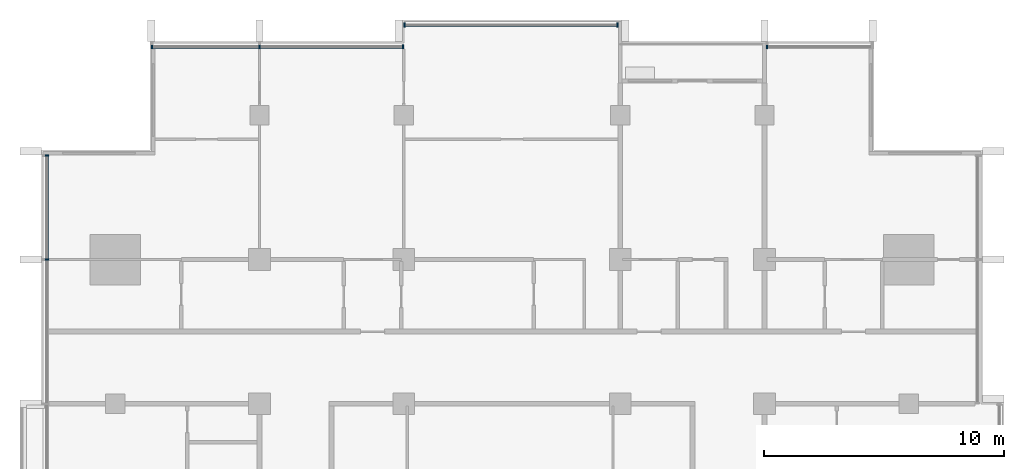
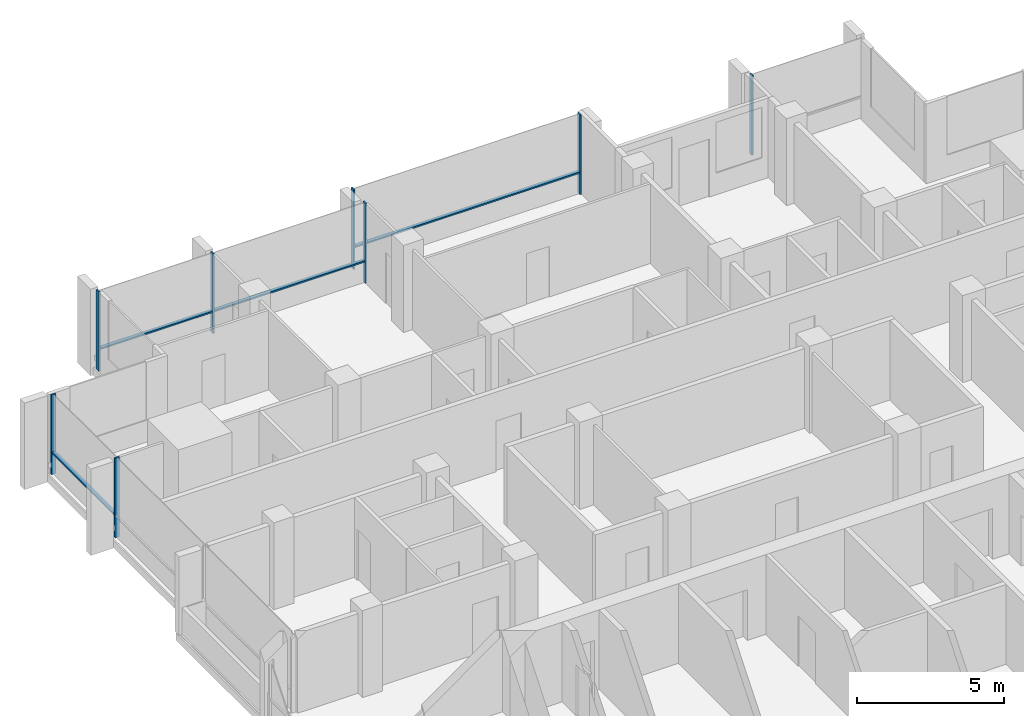
# One storey, part 4 of 16: 12 members, 4 elements without a shape of their own.
"""IFC4 building model written with IfcOpenShell, lengths in metres."""

from ifc_helpers import new_model, si_unit, direction, frame, origin, origin_2d, place, context, subcontext, project, spatial, rectangle, extrude, material, material_profile, profile_set, type_object, element, aggregate, save


model = new_model("IFC4")

# Units and contexts
model_context = context("Model", 3, precision=1e-05, world=origin(), true_north=direction((0.0, 1.0)))
body_context = subcontext(model_context, "Body", "Model", "MODEL_VIEW")
ifc_project = project(units=[si_unit("LENGTHUNIT", "METRE"), si_unit("AREAUNIT", "SQUARE_METRE"), si_unit("VOLUMEUNIT", "CUBIC_METRE"), si_unit("PLANEANGLEUNIT", "RADIAN"), si_unit("MASSUNIT", "GRAM", prefix="KILO")], contexts=[model_context])

# Site, building, storey
site_placement = place(None, origin())
site = spatial("IfcSite", under=ifc_project, at=site_placement, CompositionType="ELEMENT")
building_placement = place(site_placement, origin())
building = spatial("IfcBuilding", under=site, at=building_placement, Name="Finial Court Residences", CompositionType="ELEMENT")
storey_placement = place(building_placement, frame((0.0, 0.0, 241.10009765625)))
storey = spatial("IfcBuildingStorey", under=building, at=storey_placement, Name="L61", CompositionType="ELEMENT", Elevation=241.10009765625)

# Curtain wall, members
ifc_material = material(Name="Bronze anodised aluminium", Category="aluminium")
curtain_wall_type = type_object("IfcCurtainWallType", Name="Unitised curtain wall, upper zones", PredefinedType="NOTDEFINED", material=ifc_material)
curtain_wall_1_placement = place(storey_placement, origin())
curtain_wall_1 = element("IfcCurtainWall", 1, at=curtain_wall_1_placement, inside=storey, type_object=curtain_wall_type, Name="E-L61-CW-N1", PredefinedType="NOTDEFINED")
ifc_material_profile_1 = material_profile(ifc_material, rectangle(XDim=0.175048828125, YDim=0.06005859375, at=origin_2d()), Name="CW2 mullion 60 x 175")
ifc_profile_set_1 = profile_set([ifc_material_profile_1], Name="Bronze anodised aluminium")
member_type_1 = type_object("IfcMemberType", Name="CW2 mullion 60 x 175", PredefinedType="MULLION", material=ifc_profile_set_1)
member_1_placement = place(storey_placement, frame((-14.969970703125, 16.35009765625, 0.0), z_axis=(0.0, 0.0, 1.0), x_axis=(0.0, 1.0, 0.0)))
member_1 = element("IfcMember", 2, at=member_1_placement, type_object=member_type_1, Name="CW2 mullion 1", PredefinedType="MULLION", context=body_context, shape_type="SweptSolid", body=[
    extrude(rectangle(XDim=0.175048828125, YDim=0.06005859375, at=origin_2d()), origin(), (0.0, 0.0, 1.0), 3.2998046875),
])
member_2_placement = place(storey_placement, frame((-10.5, 16.35009765625, 0.0), z_axis=(0.0, 0.0, 1.0), x_axis=(0.0, 1.0, 0.0)))
member_2 = element("IfcMember", 3, at=member_2_placement, type_object=member_type_1, Name="CW2 mullion 2", PredefinedType="MULLION", context=body_context, shape_type="SweptSolid", body=[
    extrude(rectangle(XDim=0.175048828125, YDim=0.06005859375, at=origin_2d()), origin(), (0.0, 0.0, 1.0), 3.2998046875),
])
member_3_placement = place(storey_placement, frame((-4.530029296875, 16.35009765625, 0.0), z_axis=(0.0, 0.0, 1.0), x_axis=(0.0, 1.0, 0.0)))
member_3 = element("IfcMember", 4, at=member_3_placement, type_object=member_type_1, Name="CW2 mullion 3", PredefinedType="MULLION", context=body_context, shape_type="SweptSolid", body=[
    extrude(rectangle(XDim=0.175048828125, YDim=0.06005859375, at=origin_2d()), origin(), (0.0, 0.0, 1.0), 3.2998046875),
])

curtain_wall_2_placement = place(storey_placement, origin())
curtain_wall_2 = element("IfcCurtainWall", 5, at=curtain_wall_2_placement, inside=storey, type_object=curtain_wall_type, Name="E-L61-CW-N2", PredefinedType="NOTDEFINED")
member_4_placement = place(storey_placement, frame((-4.469970703125, 17.25, 0.0), z_axis=(0.0, 0.0, 1.0), x_axis=(0.0, 1.0, 0.0)))
member_4 = element("IfcMember", 6, at=member_4_placement, type_object=member_type_1, Name="CW2 mullion 1", PredefinedType="MULLION", context=body_context, shape_type="SweptSolid", body=[
    extrude(rectangle(XDim=0.175048828125, YDim=0.06005859375, at=origin_2d()), origin(), (0.0, 0.0, 1.0), 3.2998046875),
])
member_5_placement = place(storey_placement, frame((4.39501953125, 17.25, 0.0), z_axis=(0.0, 0.0, 1.0), x_axis=(0.0, 1.0, 0.0)))
member_5 = element("IfcMember", 7, at=member_5_placement, type_object=member_type_1, Name="CW2 mullion 2", PredefinedType="MULLION", context=body_context, shape_type="SweptSolid", body=[
    extrude(rectangle(XDim=0.175048828125, YDim=0.06005859375, at=origin_2d()), origin(), (0.0, 0.0, 1.0), 3.2998046875),
])

# Curtain wall, member
curtain_wall_3_placement = place(storey_placement, origin())
curtain_wall_3 = element("IfcCurtainWall", 8, at=curtain_wall_3_placement, inside=storey, type_object=curtain_wall_type, Name="E-L61-CW-N3", PredefinedType="NOTDEFINED")
member_6_placement = place(storey_placement, frame((10.60498046875, 16.35009765625, 0.0), z_axis=(0.0, 0.0, 1.0), x_axis=(0.0, 1.0, 0.0)))
member_6 = element("IfcMember", 9, at=member_6_placement, type_object=member_type_1, Name="CW2 mullion 1", PredefinedType="MULLION", context=body_context, shape_type="SweptSolid", body=[
    extrude(rectangle(XDim=0.175048828125, YDim=0.06005859375, at=origin_2d()), origin(), (0.0, 0.0, 1.0), 3.2998046875),
])
aggregate(curtain_wall_3, [member_6])

# Curtain wall, members
curtain_wall_4_placement = place(storey_placement, origin())
curtain_wall_4 = element("IfcCurtainWall", 10, at=curtain_wall_4_placement, inside=storey, type_object=curtain_wall_type, Name="E-L61-CW-W11", PredefinedType="NOTDEFINED")
member_7_placement = place(storey_placement, frame((-19.35009765625, 7.5, 0.0), z_axis=(0.0, 0.0, 1.0), x_axis=(-1.0, 0.0, 0.0)))
member_7 = element("IfcMember", 11, at=member_7_placement, type_object=member_type_1, Name="CW2 mullion 3", PredefinedType="MULLION", context=body_context, shape_type="SweptSolid", body=[
    extrude(rectangle(XDim=0.175048828125, YDim=0.06005859375, at=origin_2d()), origin(), (0.0, 0.0, 1.0), 3.2998046875),
])
member_8_placement = place(storey_placement, frame((-19.35009765625, 11.820068359375, 0.0), z_axis=(0.0, 0.0, 1.0), x_axis=(-1.0, 0.0, 0.0)))
member_8 = element("IfcMember", 12, at=member_8_placement, type_object=member_type_1, Name="CW2 mullion 4", PredefinedType="MULLION", context=body_context, shape_type="SweptSolid", body=[
    extrude(rectangle(XDim=0.175048828125, YDim=0.06005859375, at=origin_2d()), origin(), (0.0, 0.0, 1.0), 3.2998046875),
])

# Member
ifc_material_profile_2 = material_profile(ifc_material, rectangle(XDim=0.139892578125, YDim=0.06005859375, at=origin_2d()), Name="CW2 transom 60 x 140")
ifc_profile_set_2 = profile_set([ifc_material_profile_2], Name="Bronze anodised aluminium")
member_type_2 = type_object("IfcMemberType", Name="CW2 transom 60 x 140", PredefinedType="USERDEFINED", material=ifc_profile_set_2)
member_9_placement = place(storey_placement, frame((-14.93994140625, 16.35009765625, 0.89990234375), z_axis=(1.0, 0.0, 0.0), x_axis=(0.0, 1.0, 0.0)))
member_9 = element("IfcMember", 13, at=member_9_placement, type_object=member_type_2, Name="CW2 transom 1.1", ObjectType="TRANSOM", PredefinedType="USERDEFINED", context=body_context, shape_type="SweptSolid", body=[
    extrude(rectangle(XDim=0.139892578125, YDim=0.06005859375, at=origin_2d()), origin(), (0.0, 0.0, 1.0), 4.409912109375),
])

member_10_placement = place(storey_placement, frame((-10.469970703125, 16.35009765625, 0.89990234375), z_axis=(1.0, 0.0, 0.0), x_axis=(0.0, 1.0, 0.0)))
member_10 = element("IfcMember", 14, at=member_10_placement, type_object=member_type_2, Name="CW2 transom 2.1", ObjectType="TRANSOM", PredefinedType="USERDEFINED", context=body_context, shape_type="SweptSolid", body=[
    extrude(rectangle(XDim=0.139892578125, YDim=0.06005859375, at=origin_2d()), origin(), (0.0, 0.0, 1.0), 5.909912109375),
])

aggregate(curtain_wall_1, [member_1, member_2, member_3, member_9, member_10])

member_11_placement = place(storey_placement, frame((-4.43994140625, 17.25, 0.89990234375), z_axis=(1.0, 0.0, 0.0), x_axis=(0.0, 1.0, 0.0)))
member_11 = element("IfcMember", 15, at=member_11_placement, type_object=member_type_2, Name="CW2 transom 1.1", ObjectType="TRANSOM", PredefinedType="USERDEFINED", context=body_context, shape_type="SweptSolid", body=[
    extrude(rectangle(XDim=0.139892578125, YDim=0.06005859375, at=origin_2d()), origin(), (0.0, 0.0, 1.0), 8.804931640625),
])

aggregate(curtain_wall_2, [member_4, member_5, member_11])

member_12_placement = place(storey_placement, frame((-19.35009765625, 7.530029296875, 0.89990234375), z_axis=(0.0, 1.0, 0.0), x_axis=(-1.0, 0.0, 0.0)))
member_12 = element("IfcMember", 16, at=member_12_placement, type_object=member_type_2, Name="CW2 transom 3.1", ObjectType="TRANSOM", PredefinedType="USERDEFINED", context=body_context, shape_type="SweptSolid", body=[
    extrude(rectangle(XDim=0.139892578125, YDim=0.06005859375, at=origin_2d()), origin(), (0.0, 0.0, 1.0), 4.260009765625),
])

aggregate(curtain_wall_4, [member_7, member_8, member_12])

save(model, "model.ifc")
